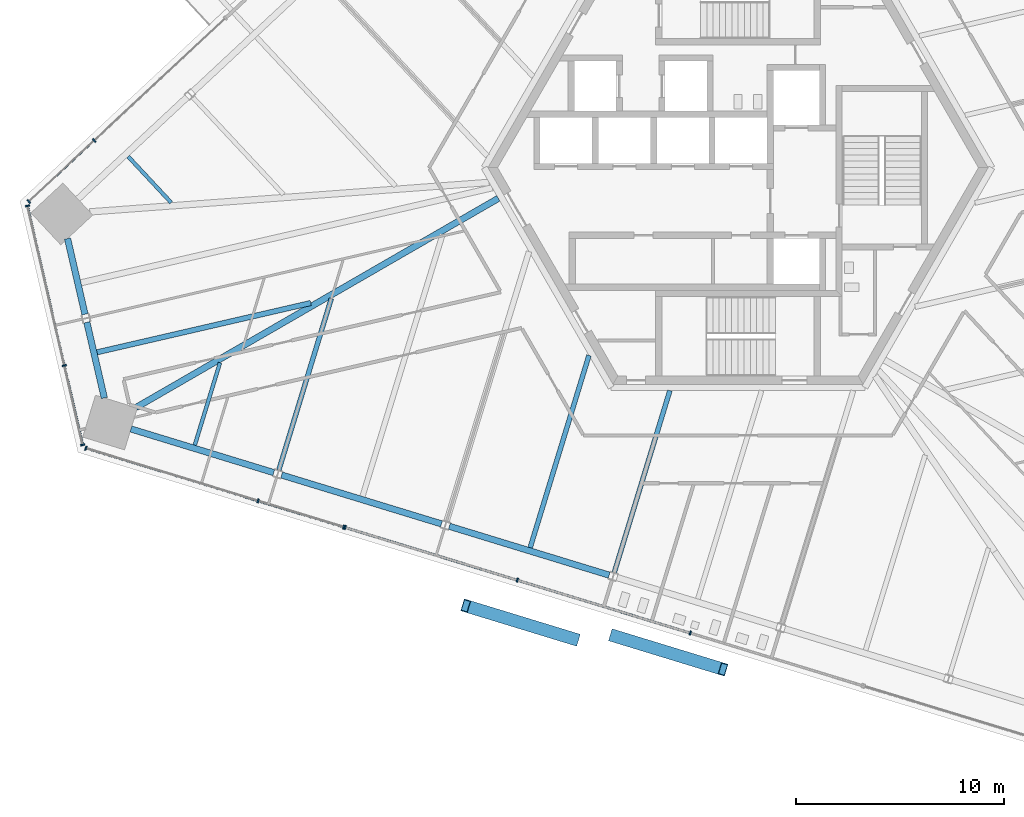
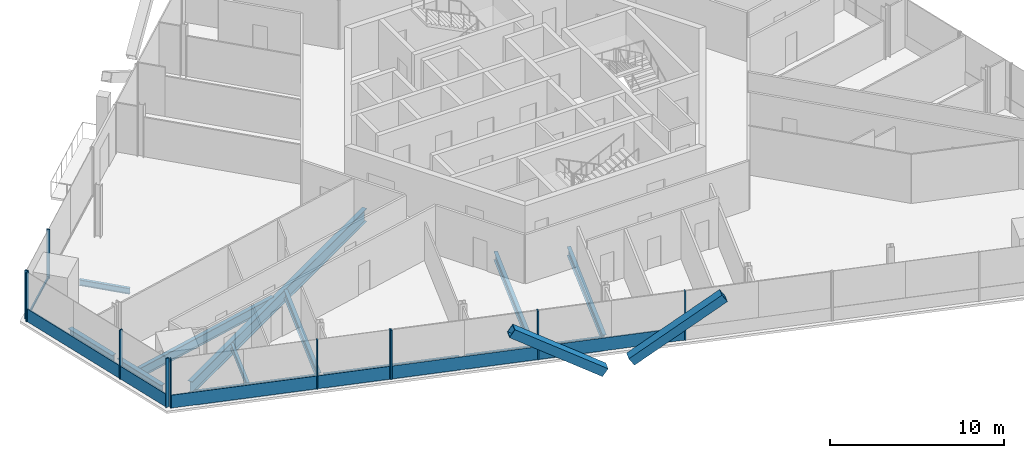
# One storey, part 4 of 20: 20 members, 12 beams, 4 elements without a shape of their own.
"""IFC4 building model written with IfcOpenShell, lengths in metres."""

from ifc_helpers import new_model, si_unit, direction, frame, origin, origin_2d, place, context, subcontext, project, spatial, rectangle, hollow_rectangle, i_section, extrude, source, transform, mapped, material, material_profile, profile_set, type_object, element, aggregate, save


model = new_model("IFC4")

# Units and contexts
model_context = context("Model", 3, precision=1e-05, world=origin(), true_north=direction((0.0, 1.0)))
body_context = subcontext(model_context, "Body", "Model", "MODEL_VIEW")
ifc_project = project(units=[si_unit("LENGTHUNIT", "METRE"), si_unit("AREAUNIT", "SQUARE_METRE"), si_unit("VOLUMEUNIT", "CUBIC_METRE"), si_unit("PLANEANGLEUNIT", "RADIAN"), si_unit("MASSUNIT", "GRAM", prefix="KILO")], contexts=[model_context])

# Site, building, storey
site_placement = place(None, origin())
site = spatial("IfcSite", under=ifc_project, at=site_placement, CompositionType="ELEMENT")
building_placement = place(site_placement, origin())
building = spatial("IfcBuilding", under=site, at=building_placement, Name="Triune Harvest Tower", CompositionType="ELEMENT")
storey_placement = place(building_placement, frame((0.0, 0.0, 116.300048828125)))
storey = spatial("IfcBuildingStorey", under=building, at=storey_placement, Name="L29", CompositionType="ELEMENT", Elevation=116.300048828125)

# Beams
ifc_material_1 = material(Name="Steel ASTM A992 Gr 50", Category="steel")
ifc_material_profile_1 = material_profile(ifc_material_1, i_section(OverallWidth=0.3046875, OverallDepth=0.914306640625, WebThickness=0.0166015625, FlangeThickness=0.02587890625, at=origin_2d()), Name="W36x160")
ifc_profile_set_1 = profile_set([ifc_material_profile_1], Name="Steel ASTM A992 Gr 50")
beam_type_1 = type_object("IfcBeamType", Name="SB-1 Spandrel beam W36x160", PredefinedType="SPANDREL", material=ifc_profile_set_1)
shared_shape_1 = source(origin(), body_context, "Body", "SweptSolid", [
    extrude(i_section(OverallWidth=0.3046875, OverallDepth=0.914306640625, WebThickness=0.0166015625, FlangeThickness=0.02587890625, at=origin_2d()), origin(), (0.0, 0.0, 1.0), 8.018310546875),
])
beam_1_placement = place(storey_placement, frame((-21.8994140625, -14.747314453125, -0.6171875), z_axis=(0.956308069579, -0.292360866152, 0.0), x_axis=(0.292360866152, 0.956308069579, 0.0)))
element("IfcBeam", 1, at=beam_1_placement, inside=storey, type_object=beam_type_1, Name="beam/L29/SB18", PredefinedType="SPANDREL", context=body_context, shape_type="MappedRepresentation", body=[
    mapped(shared_shape_1, transform((0.0, 0.0, 0.0), scale=1.0)),
])
shared_shape_2 = source(origin(), body_context, "Body", "SweptSolid", [
    extrude(i_section(OverallWidth=0.3046875, OverallDepth=0.914306640625, WebThickness=0.0166015625, FlangeThickness=0.02587890625, at=origin_2d()), origin(), (0.0, 0.0, 1.0), 8.01806640625),
])
beam_2_placement = place(storey_placement, frame((-13.8525390625, -17.207275390625, -0.6171875), z_axis=(0.956305466934, -0.292369379231, 0.0), x_axis=(0.292369379231, 0.956305466934, 0.0)))
element("IfcBeam", 2, at=beam_2_placement, inside=storey, type_object=beam_type_1, Name="beam/L29/SB19", PredefinedType="SPANDREL", context=body_context, shape_type="MappedRepresentation", body=[
    mapped(shared_shape_2, transform((0.0, 0.0, 0.0), scale=1.0)),
])
shared_shape_3 = source(origin(), body_context, "Body", "SweptSolid", [
    extrude(i_section(OverallWidth=0.3046875, OverallDepth=0.914306640625, WebThickness=0.0166015625, FlangeThickness=0.02587890625, at=origin_2d()), origin(), (0.0, 0.0, 1.0), 7.16650390625),
])
beam_3_placement = place(storey_placement, frame((-29.131591796875, -12.5361328125, -0.6171875), z_axis=(0.956306336732, -0.292366534211, 0.0), x_axis=(0.292366534211, 0.956306336732, 0.0)))
element("IfcBeam", 3, at=beam_3_placement, inside=storey, type_object=beam_type_1, Name="beam/L29/SB17", PredefinedType="SPANDREL", context=body_context, shape_type="MappedRepresentation", body=[
    mapped(shared_shape_3, transform((0.0, 0.0, 0.0), scale=1.0)),
])
shared_shape_4 = source(origin(), body_context, "Body", "SweptSolid", [
    extrude(i_section(OverallWidth=0.3046875, OverallDepth=0.914306640625, WebThickness=0.0166015625, FlangeThickness=0.02587890625, at=origin_2d()), origin(), (0.0, 0.0, 1.0), 3.72607421875),
])
for number, where, z_axis, x_axis, name in (
    (4, (-32.173828125, -3.400390625, -0.6171875), (0.224936070713, -0.974373523908, 0.0), (0.974373523908, 0.224936070713, 0.0), "beam/L29/SB15"),
    (5, (-31.24658203125, -7.4169921875, -0.6171875), (0.224998275907, -0.974359161623, 0.0), (0.974359161623, 0.224998275907, 0.0), "beam/L29/SB16"),
):
    element("IfcBeam", number, at=place(storey_placement, frame(where, z_axis=z_axis, x_axis=x_axis)), inside=storey, type_object=beam_type_1, Name=name, PredefinedType="SPANDREL", context=body_context, shape_type="MappedRepresentation", body=[
        mapped(shared_shape_4, transform((0.0, 0.0, 0.0), scale=1.0)),
    ])
ifc_material_2 = material(Name="Steel ASTM A992 Gr 50", Category="steel")
ifc_material_profile_2 = material_profile(ifc_material_2, i_section(OverallWidth=0.307373046875, OverallDepth=0.922119140625, WebThickness=0.018310546875, FlangeThickness=0.030029296875, at=origin_2d()), Name="W36x182")
ifc_profile_set_2 = profile_set([ifc_material_profile_2], Name="Steel ASTM A992 Gr 50")
beam_type_2 = type_object("IfcBeamType", Name="HG-2 Hip girder W36x182", PredefinedType="BEAM", material=ifc_profile_set_2)
shared_shape_5 = source(origin(), body_context, "Body", "SweptSolid", [
    extrude(i_section(OverallWidth=0.307373046875, OverallDepth=0.922119140625, WebThickness=0.018310546875, FlangeThickness=0.030029296875, at=origin_2d()), origin(), (0.0, 0.0, 1.0), 20.080078125),
])
beam_4_placement = place(storey_placement, frame((-28.892333984375, -11.51123046875, -0.62109375), z_axis=(0.866025837197, 0.499999249307, 0.0), x_axis=(-0.499999249307, 0.866025837197, 0.0)))
element("IfcBeam", 6, at=beam_4_placement, inside=storey, type_object=beam_type_2, Name="beam/L29/HG6", PredefinedType="BEAM", context=body_context, shape_type="MappedRepresentation", body=[
    mapped(shared_shape_5, transform((0.0, 0.0, 0.0), scale=1.0)),
])
ifc_material_3 = material(Name="Steel ASTM A992 Gr 50", Category="steel")
ifc_material_profile_3 = material_profile(ifc_material_3, i_section(OverallWidth=0.22900390625, OverallDepth=0.612060546875, WebThickness=0.011962890625, FlangeThickness=0.01953125, at=origin_2d()), Name="W24x84")
ifc_profile_set_3 = profile_set([ifc_material_profile_3], Name="Steel ASTM A992 Gr 50")
beam_type_3 = type_object("IfcBeamType", Name="JT-3 Floor joist W24x84", PredefinedType="JOIST", material=ifc_profile_set_3)
shared_shape_6 = source(origin(), body_context, "Body", "SweptSolid", [
    extrude(i_section(OverallWidth=0.22900390625, OverallDepth=0.612060546875, WebThickness=0.011962890625, FlangeThickness=0.01953125, at=origin_2d()), origin(), (0.0, 0.0, 1.0), 9.129150390625),
])
beam_5_placement = place(storey_placement, frame((-5.939453125, -19.42724609375, -0.466064453125), z_axis=(0.292356457167, 0.956309417476, 0.0), x_axis=(-0.956309417476, 0.292356457167, 0.0)))
element("IfcBeam", 7, at=beam_5_placement, inside=storey, type_object=beam_type_3, Name="beam/L29/JT32", PredefinedType="JOIST", context=body_context, shape_type="MappedRepresentation", body=[
    mapped(shared_shape_6, transform((0.0, 0.0, 0.0), scale=1.0)),
])
ifc_material_4 = material(Name="Steel ASTM A992 Gr 50", Category="steel")
ifc_material_profile_4 = material_profile(ifc_material_4, i_section(OverallWidth=0.180908203125, OverallDepth=0.41650390625, WebThickness=0.010986328125, FlangeThickness=0.01806640625, at=origin_2d()), Name="W16x57")
ifc_profile_set_4 = profile_set([ifc_material_profile_4], Name="Steel ASTM A992 Gr 50")
beam_type_4 = type_object("IfcBeamType", Name="JT-1 Floor joist W16x57", PredefinedType="JOIST", material=ifc_profile_set_4)
shared_shape_7 = source(origin(), body_context, "Body", "SweptSolid", [
    extrude(i_section(OverallWidth=0.180908203125, OverallDepth=0.41650390625, WebThickness=0.010986328125, FlangeThickness=0.01806640625, at=origin_2d()), origin(), (0.0, 0.0, 1.0), 3.0302734375),
])
beam_6_placement = place(storey_placement, frame((-29.265625, 0.538818359375, -0.368408203125), z_axis=(0.681982331581, -0.731368648091, 0.0), x_axis=(0.731368648091, 0.681982331581, 0.0)))
element("IfcBeam", 8, at=beam_6_placement, inside=storey, type_object=beam_type_4, Name="beam/L29/JT24", PredefinedType="JOIST", context=body_context, shape_type="MappedRepresentation", body=[
    mapped(shared_shape_7, transform((0.0, 0.0, 0.0), scale=1.0)),
])
shared_shape_8 = source(origin(), body_context, "Body", "SweptSolid", [
    extrude(i_section(OverallWidth=0.180908203125, OverallDepth=0.41650390625, WebThickness=0.010986328125, FlangeThickness=0.01806640625, at=origin_2d()), origin(), (0.0, 0.0, 1.0), 4.134033203125),
])
beam_7_placement = place(storey_placement, frame((-26.067626953125, -13.3134765625, -0.368408203125), z_axis=(0.29238807321, 0.956299751461, 0.0), x_axis=(-0.956299751461, 0.29238807321, 0.0)))
element("IfcBeam", 9, at=beam_7_placement, inside=storey, type_object=beam_type_4, Name="beam/L29/JT27", PredefinedType="JOIST", context=body_context, shape_type="MappedRepresentation", body=[
    mapped(shared_shape_8, transform((0.0, 0.0, 0.0), scale=1.0)),
])
shared_shape_9 = source(origin(), body_context, "Body", "SweptSolid", [
    extrude(i_section(OverallWidth=0.22900390625, OverallDepth=0.612060546875, WebThickness=0.011962890625, FlangeThickness=0.01953125, at=origin_2d()), origin(), (0.0, 0.0, 1.0), 8.607666015625),
])
beam_8_placement = place(storey_placement, frame((-22.033203125, -14.507080078125, -0.466064453125), z_axis=(0.29237129862, 0.956304880121, 0.0), x_axis=(-0.956304880121, 0.29237129862, 0.0)))
element("IfcBeam", 10, at=beam_8_placement, inside=storey, type_object=beam_type_3, Name="beam/L29/JT28", PredefinedType="JOIST", context=body_context, shape_type="MappedRepresentation", body=[
    mapped(shared_shape_9, transform((0.0, 0.0, 0.0), scale=1.0)),
])
shared_shape_10 = source(origin(), body_context, "Body", "SweptSolid", [
    extrude(i_section(OverallWidth=0.22900390625, OverallDepth=0.612060546875, WebThickness=0.011962890625, FlangeThickness=0.01953125, at=origin_2d()), origin(), (0.0, 0.0, 1.0), 9.64990234375),
])
beam_9_placement = place(storey_placement, frame((-9.97412109375, -18.233642578125, -0.466064453125), z_axis=(0.292387575984, 0.956299903488, 0.0), x_axis=(-0.956299903488, 0.292387575984, 0.0)))
element("IfcBeam", 11, at=beam_9_placement, inside=storey, type_object=beam_type_3, Name="beam/L29/JT31", PredefinedType="JOIST", context=body_context, shape_type="MappedRepresentation", body=[
    mapped(shared_shape_10, transform((0.0, 0.0, 0.0), scale=1.0)),
])
ifc_material_5 = material(Name="Steel ASTM A992 Gr 50", Category="steel")
ifc_material_profile_5 = material_profile(ifc_material_5, i_section(OverallWidth=0.253662109375, OverallDepth=0.683349609375, WebThickness=0.012451171875, FlangeThickness=0.01904296875, at=origin_2d()), Name="W27x94")
ifc_profile_set_5 = profile_set([ifc_material_profile_5], Name="Steel ASTM A992 Gr 50")
beam_type_5 = type_object("IfcBeamType", Name="JT-4 Floor joist W27x94", PredefinedType="JOIST", material=ifc_profile_set_5)
shared_shape_11 = source(origin(), body_context, "Body", "SweptSolid", [
    extrude(i_section(OverallWidth=0.253662109375, OverallDepth=0.683349609375, WebThickness=0.012451171875, FlangeThickness=0.01904296875, at=origin_2d()), origin(), (0.0, 0.0, 1.0), 10.52294921875),
])
beam_10_placement = place(storey_placement, frame((-30.75732421875, -8.858154296875, -0.501708984375), z_axis=(0.974368902387, 0.224956089186, 0.0), x_axis=(-0.224956089186, 0.974368902387, 0.0)))
element("IfcBeam", 12, at=beam_10_placement, inside=storey, type_object=beam_type_5, Name="beam/L29/JT26", PredefinedType="JOIST", context=body_context, shape_type="MappedRepresentation", body=[
    mapped(shared_shape_11, transform((0.0, 0.0, 0.0), scale=1.0)),
])

# Members
ifc_material_6 = material(Name="Steel ASTM A572 Gr 50", Category="steel")
ifc_material_profile_6 = material_profile(ifc_material_6, hollow_rectangle(XDim=0.60009765625, YDim=0.60009765625, WallThickness=0.0400390625, at=origin_2d()), Name="Box 600x600x40")
ifc_profile_set_6 = profile_set([ifc_material_profile_6], Name="Steel ASTM A572 Gr 50")
member_type_1 = type_object("IfcMemberType", Name="BR-2 Brace Box 600x600x40", PredefinedType="BRACE", material=ifc_profile_set_6)
shared_shape_12 = source(origin(), body_context, "Body", "SweptSolid", [
    extrude(hollow_rectangle(XDim=0.60009765625, YDim=0.60009765625, WallThickness=0.0400390625, at=origin_2d()), origin(), (0.0, 0.0, 1.0), 6.56640625),
])
for number, where, z_axis, x_axis, name in (
    (13, (-5.970458984375, -22.4599609375, 0.0), (0.799784211376, -0.244534459496, 0.548222685916), (0.292389077488, 0.956299444403, 0.0), "brace/B3-F5/d1/6"),
    (14, (-7.814453125, -22.62841796875, 0.0), (-0.799784211376, 0.244534459496, 0.548222685916), (-0.292389077488, -0.956299444403, 0.0), "brace/B3-F5/d2/6"),
):
    element("IfcMember", number, at=place(storey_placement, frame(where, z_axis=z_axis, x_axis=x_axis)), inside=storey, type_object=member_type_1, Name=name, PredefinedType="BRACE", context=body_context, shape_type="MappedRepresentation", body=[
        mapped(shared_shape_12, transform((0.0, 0.0, 0.0), scale=1.0)),
    ])

# Curtain wall, members
ifc_material_7 = material(Name="Aluminium bronze anodised", Category="aluminium")
curtain_wall_type_1 = type_object("IfcCurtainWallType", Name="CW-1 Tower stick curtain wall", PredefinedType="NOTDEFINED", material=ifc_material_7)
curtain_wall_1_placement = place(storey_placement, origin())
curtain_wall_1 = element("IfcCurtainWall", 15, at=curtain_wall_1_placement, inside=storey, type_object=curtain_wall_type_1, Name="CW-1 B3-F4 L29 run 1")
ifc_material_8 = material(Name="Aluminium bronze anodised", Category="aluminium")
ifc_material_profile_7 = material_profile(ifc_material_8, rectangle(XDim=0.199951171875, YDim=0.074951171875, at=origin_2d()), Name="MU-1 mullion 75 x 200")
ifc_profile_set_7 = profile_set([ifc_material_profile_7], Name="Aluminium bronze anodised")
member_type_2 = type_object("IfcMemberType", Name="MU-1 mullion 75 x 200", PredefinedType="MULLION", material=ifc_profile_set_7)
shared_shape_13 = source(origin(), body_context, "Body", "SweptSolid", [
    extrude(rectangle(XDim=0.199951171875, YDim=0.074951171875, at=origin_2d()), origin(), (0.0, 0.0, 1.0), 3.43994140625),
])
member_1_placement = place(storey_placement, frame((-34.0947265625, -1.83056640625, 0.0), z_axis=(0.0, 0.0, 1.0), x_axis=(0.974371012181, 0.224946950683, 0.0)))
member_1 = element("IfcMember", 16, at=member_1_placement, type_object=member_type_2, Name="CW-1 mullion B3-F4 1.1", PredefinedType="MULLION", context=body_context, shape_type="MappedRepresentation", body=[
    mapped(shared_shape_13, transform((0.0, 0.0, 0.0), scale=1.0)),
])
member_2_placement = place(storey_placement, frame((-32.32666015625, -9.489501953125, 0.0), z_axis=(0.0, 0.0, 1.0), x_axis=(0.974371012181, 0.224946950683, 0.0)))
member_2 = element("IfcMember", 17, at=member_2_placement, type_object=member_type_2, Name="CW-1 mullion B3-F4 1.3", PredefinedType="MULLION", context=body_context, shape_type="MappedRepresentation", body=[
    mapped(shared_shape_13, transform((0.0, 0.0, 0.0), scale=1.0)),
])
member_3_placement = place(storey_placement, frame((-31.44677734375, -13.30078125, 0.0), z_axis=(0.0, 0.0, 1.0), x_axis=(0.974371012181, 0.224946950683, 0.0)))
member_3 = element("IfcMember", 18, at=member_3_placement, type_object=member_type_2, Name="CW-1 mullion B3-F4 1.4", PredefinedType="MULLION", context=body_context, shape_type="MappedRepresentation", body=[
    mapped(shared_shape_13, transform((0.0, 0.0, 0.0), scale=1.0)),
])

curtain_wall_2_placement = place(storey_placement, origin())
curtain_wall_2 = element("IfcCurtainWall", 19, at=curtain_wall_2_placement, inside=storey, type_object=curtain_wall_type_1, Name="CW-1 B3-F5 L29 run 1")
member_4_placement = place(storey_placement, frame((-31.296142578125, -13.462158203125, 0.0), z_axis=(0.0, 0.0, 1.0), x_axis=(0.292373817276, 0.956304110088, 0.0)))
member_4 = element("IfcMember", 20, at=member_4_placement, type_object=member_type_2, Name="CW-1 mullion B3-F5 1.1", PredefinedType="MULLION", context=body_context, shape_type="MappedRepresentation", body=[
    mapped(shared_shape_13, transform((0.0, 0.0, 0.0), scale=1.0)),
])
member_5_placement = place(storey_placement, frame((-23.034423828125, -15.98828125, 0.0), z_axis=(0.0, 0.0, 1.0), x_axis=(0.292373817276, 0.956304110088, 0.0)))
member_5 = element("IfcMember", 21, at=member_5_placement, type_object=member_type_2, Name="CW-1 mullion B3-F5 1.3", PredefinedType="MULLION", context=body_context, shape_type="MappedRepresentation", body=[
    mapped(shared_shape_13, transform((0.0, 0.0, 0.0), scale=1.0)),
])
member_6_placement = place(storey_placement, frame((-18.92138671875, -17.24560546875, 0.0), z_axis=(0.0, 0.0, 1.0), x_axis=(0.292373817276, 0.956304110088, 0.0)))
member_6 = element("IfcMember", 22, at=member_6_placement, type_object=member_type_2, Name="CW-1 mullion B3-F5 1.4", PredefinedType="MULLION", context=body_context, shape_type="MappedRepresentation", body=[
    mapped(shared_shape_13, transform((0.0, 0.0, 0.0), scale=1.0)),
])

ifc_material_9 = material(Name="Aluminium bronze anodised", Category="aluminium")
curtain_wall_type_2 = type_object("IfcCurtainWallType", Name="CW-7 Tower stick curtain wall with insulated spandrel infill", PredefinedType="NOTDEFINED", material=ifc_material_9)
curtain_wall_3_placement = place(storey_placement, origin())
curtain_wall_3 = element("IfcCurtainWall", 23, at=curtain_wall_3_placement, inside=storey, type_object=curtain_wall_type_2, Name="CW-7 B3-F5 L29 run 1001")
member_7_placement = place(storey_placement, frame((-18.849853515625, -17.267578125, 0.0), z_axis=(0.0, 0.0, 1.0), x_axis=(0.292373035069, 0.956304349234, 0.0)))
member_7 = element("IfcMember", 24, at=member_7_placement, type_object=member_type_2, Name="CW-7 mullion B3-F5 1001.1", PredefinedType="MULLION", context=body_context, shape_type="MappedRepresentation", body=[
    mapped(shared_shape_13, transform((0.0, 0.0, 0.0), scale=1.0)),
])
member_8_placement = place(storey_placement, frame((-10.588134765625, -19.79345703125, 0.0), z_axis=(0.0, 0.0, 1.0), x_axis=(0.292373035069, 0.956304349234, 0.0)))
member_8 = element("IfcMember", 25, at=member_8_placement, type_object=member_type_2, Name="CW-7 mullion B3-F5 1001.3", PredefinedType="MULLION", context=body_context, shape_type="MappedRepresentation", body=[
    mapped(shared_shape_13, transform((0.0, 0.0, 0.0), scale=1.0)),
])
member_9_placement = place(storey_placement, frame((-2.29052734375, -22.330322265625, 0.0), z_axis=(0.0, 0.0, 1.0), x_axis=(0.292373035069, 0.956304349234, 0.0)))
member_9 = element("IfcMember", 26, at=member_9_placement, type_object=member_type_2, Name="CW-7 mullion B3-F5 1001.5", PredefinedType="MULLION", context=body_context, shape_type="MappedRepresentation", body=[
    mapped(shared_shape_13, transform((0.0, 0.0, 0.0), scale=1.0)),
])

ifc_material_10 = material(Name="Aluminium bronze anodised", Category="aluminium")
curtain_wall_type_3 = type_object("IfcCurtainWallType", Name="CW-6 Balcony window wall", PredefinedType="NOTDEFINED", material=ifc_material_10)
curtain_wall_4_placement = place(storey_placement, origin())
curtain_wall_4 = element("IfcCurtainWall", 27, at=curtain_wall_4_placement, inside=storey, type_object=curtain_wall_type_3, Name="CW-6 B3-F3 L29 run 2")
ifc_material_11 = material(Name="Aluminium bronze anodised", Category="aluminium")
ifc_material_profile_8 = material_profile(ifc_material_11, rectangle(XDim=0.199951171875, YDim=0.074951171875, at=origin_2d()), Name="MU-6 mullion 75 x 200")
ifc_profile_set_8 = profile_set([ifc_material_profile_8], Name="Aluminium bronze anodised")
member_type_3 = type_object("IfcMemberType", Name="MU-6 mullion 75 x 200", PredefinedType="MULLION", material=ifc_profile_set_8)
shared_shape_14 = source(origin(), body_context, "Body", "SweptSolid", [
    extrude(rectangle(XDim=0.199951171875, YDim=0.074951171875, at=origin_2d()), origin(), (0.0, 0.0, 1.0), 3.43994140625),
])
member_10_placement = place(storey_placement, frame((-30.895751953125, 1.303466796875, 0.0), z_axis=(0.0, 0.0, 1.0), x_axis=(0.681998722179, -0.73135336394, 0.0)))
member_10 = element("IfcMember", 28, at=member_10_placement, type_object=member_type_3, Name="CW-6 mullion B3-F3 2.3", PredefinedType="MULLION", context=body_context, shape_type="MappedRepresentation", body=[
    mapped(shared_shape_14, transform((0.0, 0.0, 0.0), scale=1.0)),
])
member_11_placement = place(storey_placement, frame((-34.0302734375, -1.619384765625, 0.0), z_axis=(0.0, 0.0, 1.0), x_axis=(0.681998722179, -0.73135336394, 0.0)))
member_11 = element("IfcMember", 29, at=member_11_placement, type_object=member_type_3, Name="CW-6 mullion B3-F3 2.4", PredefinedType="MULLION", context=body_context, shape_type="MappedRepresentation", body=[
    mapped(shared_shape_14, transform((0.0, 0.0, 0.0), scale=1.0)),
])

# Member
ifc_material_12 = material(Name="Aluminium bronze anodised", Category="aluminium")
ifc_material_profile_9 = material_profile(ifc_material_12, rectangle(XDim=0.090087890625, YDim=0.89990234375, at=origin_2d()), Name="TR-1 transom 90 x 900")
ifc_profile_set_9 = profile_set([ifc_material_profile_9], Name="Aluminium bronze anodised")
member_type_4 = type_object("IfcMemberType", Name="TR-1 transom 90 x 900", PredefinedType="USERDEFINED", material=ifc_profile_set_9)
shared_shape_15 = source(origin(), body_context, "Body", "SweptSolid", [
    extrude(rectangle(XDim=0.090087890625, YDim=0.89990234375, at=origin_2d()), origin(), (0.0, 0.0, 1.0), 3.83642578125),
])
member_12_placement = place(storey_placement, frame((-32.318115234375, -9.526123046875, 0.449951171875), z_axis=(0.224901336827, -0.974381541642, 0.0), x_axis=(0.974381541642, 0.224901336827, 0.0)))
member_12 = element("IfcMember", 30, at=member_12_placement, type_object=member_type_4, Name="CW-1 transom B3-F4 1.2", ObjectType="TRANSOM", PredefinedType="USERDEFINED", context=body_context, shape_type="MappedRepresentation", body=[
    mapped(shared_shape_15, transform((0.0, 0.0, 0.0), scale=1.0)),
])

shared_shape_16 = source(origin(), body_context, "Body", "SweptSolid", [
    extrude(rectangle(XDim=0.090087890625, YDim=0.89990234375, at=origin_2d()), origin(), (0.0, 0.0, 1.0), 7.785400390625),
])
member_13_placement = place(storey_placement, frame((-34.08642578125, -1.8671875, 0.449951171875), z_axis=(0.22493508372, -0.974373751756, 0.0), x_axis=(0.974373751756, 0.22493508372, 0.0)))
member_13 = element("IfcMember", 31, at=member_13_placement, type_object=member_type_4, Name="CW-1 transom B3-F4 1.1", ObjectType="TRANSOM", PredefinedType="USERDEFINED", context=body_context, shape_type="MappedRepresentation", body=[
    mapped(shared_shape_16, transform((0.0, 0.0, 0.0), scale=1.0)),
])

aggregate(curtain_wall_1, [member_1, member_2, member_3, member_13, member_12])

shared_shape_17 = source(origin(), body_context, "Body", "SweptSolid", [
    extrude(rectangle(XDim=0.090087890625, YDim=0.89990234375, at=origin_2d()), origin(), (0.0, 0.0, 1.0), 8.564208984375),
])
member_14_placement = place(storey_placement, frame((-31.26025390625, -13.47314453125, 0.449951171875), z_axis=(0.956297115468, -0.29239669449, 0.0), x_axis=(0.29239669449, 0.956297115468, 0.0)))
member_14 = element("IfcMember", 32, at=member_14_placement, type_object=member_type_4, Name="CW-1 transom B3-F5 1.1", ObjectType="TRANSOM", PredefinedType="USERDEFINED", context=body_context, shape_type="MappedRepresentation", body=[
    mapped(shared_shape_17, transform((0.0, 0.0, 0.0), scale=1.0)),
])

ifc_material_13 = material(Name="Aluminium bronze anodised", Category="aluminium")
ifc_material_profile_10 = material_profile(ifc_material_13, rectangle(XDim=0.090087890625, YDim=0.14990234375, at=origin_2d()), Name="TR-6 transom 90 x 150")
ifc_profile_set_10 = profile_set([ifc_material_profile_10], Name="Aluminium bronze anodised")
member_type_5 = type_object("IfcMemberType", Name="TR-6 transom 90 x 150", PredefinedType="USERDEFINED", material=ifc_profile_set_10)
shared_shape_18 = source(origin(), body_context, "Body", "SweptSolid", [
    extrude(rectangle(XDim=0.090087890625, YDim=0.14990234375, at=origin_2d()), origin(), (0.0, 0.0, 1.0), 4.2109375),
])
member_15_placement = place(storey_placement, frame((-30.923095703125, 1.27783203125, 0.074951171875), z_axis=(-0.731402220016, -0.681946326741, 0.0), x_axis=(0.681946326741, -0.731402220016, 0.0)))
member_15 = element("IfcMember", 33, at=member_15_placement, type_object=member_type_5, Name="CW-6 transom B3-F3 2.2", ObjectType="TRANSOM", PredefinedType="USERDEFINED", context=body_context, shape_type="MappedRepresentation", body=[
    mapped(shared_shape_18, transform((0.0, 0.0, 0.0), scale=1.0)),
])

aggregate(curtain_wall_4, [member_10, member_11, member_15])

shared_shape_19 = source(origin(), body_context, "Body", "SweptSolid", [
    extrude(rectangle(XDim=0.090087890625, YDim=0.89990234375, at=origin_2d()), origin(), (0.0, 0.0, 1.0), 8.564453125),
])
member_16_placement = place(storey_placement, frame((-18.81396484375, -17.278564453125, 0.449951171875), z_axis=(0.956307522982, -0.292362654059, 0.0), x_axis=(0.292362654059, 0.956307522982, 0.0)))
member_16 = element("IfcMember", 34, at=member_16_placement, type_object=member_type_4, Name="CW-7 transom B3-F5 1001.1", ObjectType="TRANSOM", PredefinedType="USERDEFINED", context=body_context, shape_type="MappedRepresentation", body=[
    mapped(shared_shape_19, transform((0.0, 0.0, 0.0), scale=1.0)),
])

shared_shape_20 = source(origin(), body_context, "Body", "SweptSolid", [
    extrude(rectangle(XDim=0.090087890625, YDim=0.89990234375, at=origin_2d()), origin(), (0.0, 0.0, 1.0), 4.225830078125),
])
member_17_placement = place(storey_placement, frame((-22.99853515625, -15.9990234375, 0.449951171875), z_axis=(0.95630087871, -0.292384386344, 0.0), x_axis=(0.292384386344, 0.95630087871, 0.0)))
member_17 = element("IfcMember", 35, at=member_17_placement, type_object=member_type_4, Name="CW-1 transom B3-F5 1.2", ObjectType="TRANSOM", PredefinedType="USERDEFINED", context=body_context, shape_type="MappedRepresentation", body=[
    mapped(shared_shape_20, transform((0.0, 0.0, 0.0), scale=1.0)),
])

aggregate(curtain_wall_2, [member_4, member_5, member_6, member_14, member_17])

shared_shape_21 = source(origin(), body_context, "Body", "SweptSolid", [
    extrude(rectangle(XDim=0.090087890625, YDim=0.89990234375, at=origin_2d()), origin(), (0.0, 0.0, 1.0), 8.6015625),
])
member_18_placement = place(storey_placement, frame((-10.55224609375, -19.804443359375, 0.449951171875), z_axis=(0.956304627804, -0.292372123913, 0.0), x_axis=(0.292372123913, 0.956304627804, 0.0)))
member_18 = element("IfcMember", 36, at=member_18_placement, type_object=member_type_4, Name="CW-7 transom B3-F5 1001.2", ObjectType="TRANSOM", PredefinedType="USERDEFINED", context=body_context, shape_type="MappedRepresentation", body=[
    mapped(shared_shape_21, transform((0.0, 0.0, 0.0), scale=1.0)),
])

aggregate(curtain_wall_3, [member_7, member_8, member_9, member_16, member_18])

save(model, "model.ifc")
